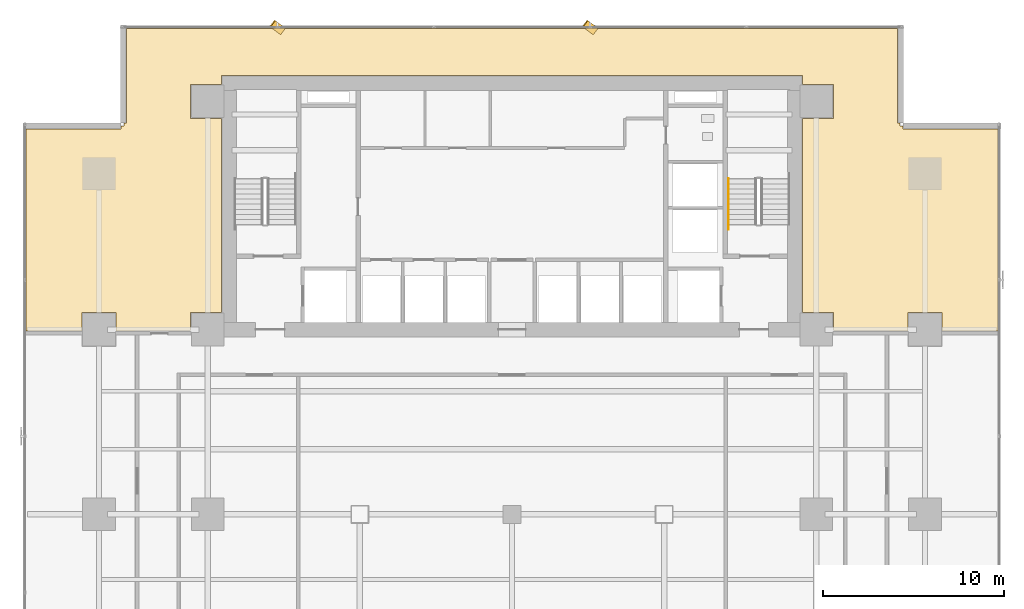
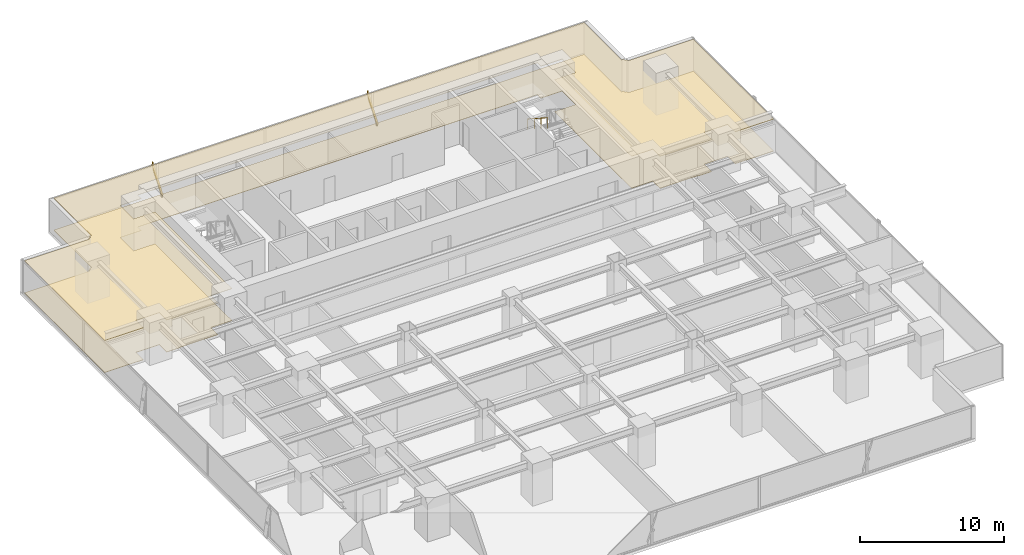
# One storey, part 31 of 33: 2 coverings, 2 shading devices, 1 railing.
"""IFC4 building model written with IfcOpenShell, lengths in metres."""

import ifcopenshell
import ifcopenshell.guid

model = None  # the IFC model being written
_history = None  # IfcOwnerHistory: only IFC2X3 demands one
_inside = {}  # id of a spatial element -> (the spatial element, [elements in it])
_under = {}  # id of a project, library or spatial element -> (it, [spatial elements below it])
_declared = {}  # id of a project -> (the project, [libraries it declares])
_typed = {}  # id of a type object -> (the type object, [elements of that type])
_made_of = {}  # id of a material, layer set ... -> (it, [elements and type objects made of it])


def new_model(schema):
    """Start an empty IFC model of exactly this schema.

    Asked for "IFC4X3", IfcOpenShell would pick the latest addendum, in which some entities
    have other attributes; the version numbers below select the first issue.
    IFC2X3 requires an IfcOwnerHistory on every rooted entity: one is made here for all.
    """
    global model, _history
    if schema == "IFC4X3":
        model = ifcopenshell.file(schema_version=(4, 3, 0, 0))
    else:
        model = ifcopenshell.file(schema=schema)
    _inside.clear()
    _under.clear()
    _declared.clear()
    _typed.clear()
    _made_of.clear()
    _history = None
    if model.schema == "IFC2X3":
        org = make("IfcOrganization", Name="unknown")
        user = make(
            "IfcPersonAndOrganization",
            ThePerson=make("IfcPerson", FamilyName="unknown"),
            TheOrganization=org,
        )
        app = make(
            "IfcApplication",
            ApplicationDeveloper=org,
            Version="unknown",
            ApplicationFullName="unknown",
            ApplicationIdentifier="unknown",
        )
        _history = make(
            "IfcOwnerHistory",
            OwningUser=user,
            OwningApplication=app,
            ChangeAction="ADDED",
            CreationDate=0,
        )
    return model


def make(cls, **values):
    """One entity of the class cls with the attributes given. An attribute that is None is left unset."""
    return model.create_entity(
        cls, **{name: value for name, value in values.items() if value is not None}
    )


def rooted(cls, **values):
    """An entity with a GlobalId (a new one), such as an element, a storey or a relation."""
    return make(cls, GlobalId=ifcopenshell.guid.new(), OwnerHistory=_history, **values)


def si_unit(unit_type, name, prefix=None):
    """IfcSIUnit, for example si_unit("LENGTHUNIT", "METRE", prefix="MILLI")."""
    return make("IfcSIUnit", UnitType=unit_type, Prefix=prefix, Name=name)


def assignment(units):
    """IfcUnitAssignment: the units of a project."""
    return None if units is None else make("IfcUnitAssignment", Units=units)


def point(xyz):
    """IfcCartesianPoint."""
    return None if xyz is None else make("IfcCartesianPoint", Coordinates=xyz)


def direction(xyz):
    """IfcDirection."""
    return None if xyz is None else make("IfcDirection", DirectionRatios=xyz)


def frame(location, z_axis=None, x_axis=None):
    """IfcAxis2Placement3D, a coordinate frame: its origin and axes. An axis left out is left unset."""
    return make(
        "IfcAxis2Placement3D",
        Location=point(location),
        Axis=direction(z_axis),
        RefDirection=direction(x_axis),
    )


def frame_2d(location, x_axis=None):
    """IfcAxis2Placement2D, a coordinate frame in the plane: its origin and x axis."""
    return make(
        "IfcAxis2Placement2D", Location=point(location), RefDirection=direction(x_axis)
    )


def origin():
    """The frame at (0, 0, 0) with its axes left unset."""
    return frame((0.0, 0.0, 0.0))


def origin_2d():
    """The frame at (0, 0) in the plane with its x axis left unset."""
    return frame_2d((0.0, 0.0))


def place(relative_to, where):
    """IfcLocalPlacement: puts the frame where relative to a parent placement (None: the world)."""
    return make(
        "IfcLocalPlacement", PlacementRelTo=relative_to, RelativePlacement=where
    )


def context(
    kind, dimensions, precision=None, world=None, true_north=None, identifier=None
):
    """IfcGeometricRepresentationContext, for example the 3D "Model" context."""
    return make(
        "IfcGeometricRepresentationContext",
        ContextIdentifier=identifier,
        ContextType=kind,
        CoordinateSpaceDimension=dimensions,
        Precision=precision,
        WorldCoordinateSystem=world,
        TrueNorth=true_north,
    )


def subcontext(parent, identifier, kind, view, scale=None):
    """IfcGeometricRepresentationSubContext, for example "Body" below "Model"."""
    return make(
        "IfcGeometricRepresentationSubContext",
        ContextIdentifier=identifier,
        ContextType=kind,
        ParentContext=parent,
        TargetScale=scale,
        TargetView=view,
    )


def project(units=None, contexts=None):
    """IfcProject with its units and contexts."""
    return rooted(
        "IfcProject",
        Name="project",
        RepresentationContexts=contexts,
        UnitsInContext=assignment(units),
    )


def spatial(cls, under=None, at=None, **own):
    """A site, building, storey or space (cls), placed at a placement, below another one or the project."""
    s = rooted(cls, ObjectPlacement=at, **own)
    if under is not None:
        _under.setdefault(under.id(), (under, []))[1].append(s)
    return s


def polyline(points):
    """IfcPolyline through the points."""
    return make("IfcPolyline", Points=[point(p) for p in points])


def profile(cls, at=None, kind="AREA", **sizes):
    """A parametric profile (cls). Its sizes go by their IFC names, for example OverallWidth=200.0."""
    return make(cls, ProfileType=kind, Position=at, **sizes)


def rectangle(**sizes):
    """IfcRectangleProfileDef."""
    return profile("IfcRectangleProfileDef", **sizes)


def outline(outer, holes=None, kind="AREA"):
    """IfcArbitraryClosedProfileDef: a profile drawn as a closed curve; with holes, ...WithVoids."""
    if holes is None:
        return make("IfcArbitraryClosedProfileDef", ProfileType=kind, OuterCurve=outer)
    return make(
        "IfcArbitraryProfileDefWithVoids",
        ProfileType=kind,
        OuterCurve=outer,
        InnerCurves=holes,
    )


def extrude(swept, where, along, depth):
    """IfcExtrudedAreaSolid: the profile swept, set in the frame where, extruded along a direction by depth."""
    return make(
        "IfcExtrudedAreaSolid",
        SweptArea=swept,
        Position=where,
        ExtrudedDirection=direction(along),
        Depth=depth,
    )


def shape(context_of_items, identifier, shape_type, items):
    """IfcShapeRepresentation: the items that make up one representation, for example the "Body"."""
    return make(
        "IfcShapeRepresentation",
        ContextOfItems=context_of_items,
        RepresentationIdentifier=identifier,
        RepresentationType=shape_type,
        Items=items,
    )


def source(mapping_origin, context_of_items, identifier, shape_type, items):
    """IfcRepresentationMap: a shape defined once, which mapped items show again and again."""
    return make(
        "IfcRepresentationMap",
        MappingOrigin=mapping_origin,
        MappedRepresentation=shape(context_of_items, identifier, shape_type, items),
    )


def transform(
    local_origin,
    x_axis=None,
    y_axis=None,
    z_axis=None,
    scale=None,
    scale2=None,
    scale3=None,
    uniform=True,
):
    """IfcCartesianTransformationOperator3D, or its non-uniform kind. x_axis, y_axis, z_axis: its Axis1, 2, 3."""
    if uniform:
        return make(
            "IfcCartesianTransformationOperator3D",
            Axis1=direction(x_axis),
            Axis2=direction(y_axis),
            LocalOrigin=point(local_origin),
            Scale=scale,
            Axis3=direction(z_axis),
        )
    return make(
        "IfcCartesianTransformationOperator3DnonUniform",
        Axis1=direction(x_axis),
        Axis2=direction(y_axis),
        LocalOrigin=point(local_origin),
        Scale=scale,
        Axis3=direction(z_axis),
        Scale2=scale2,
        Scale3=scale3,
    )


def mapped(mapping_source, mapping_target):
    """IfcMappedItem: shows the shape of a source again, moved by a transform."""
    return make(
        "IfcMappedItem", MappingSource=mapping_source, MappingTarget=mapping_target
    )


def material(Name=None, Category=None):
    """IfcMaterial."""
    return make("IfcMaterial", Name=Name, Category=Category)


def layer(
    of_material, thickness, ventilated=None, Name=None, Category=None, Priority=None
):
    """IfcMaterialLayer: one layer of a wall or slab, of a material (None: an air gap)."""
    return make(
        "IfcMaterialLayer",
        Material=of_material,
        LayerThickness=thickness,
        IsVentilated=ventilated,
        Name=Name,
        Category=Category,
        Priority=Priority,
    )


def layer_set(layers, Name=None):
    """IfcMaterialLayerSet."""
    return make("IfcMaterialLayerSet", MaterialLayers=layers, LayerSetName=Name)


def material_profile(
    of_material, cross_section, Name=None, Category=None, Priority=None
):
    """IfcMaterialProfile: a cross section and its material."""
    return make(
        "IfcMaterialProfile",
        Name=Name,
        Material=of_material,
        Profile=cross_section,
        Priority=Priority,
        Category=Category,
    )


def profile_set(profiles, Name=None, composite=None):
    """IfcMaterialProfileSet."""
    return make(
        "IfcMaterialProfileSet",
        Name=Name,
        MaterialProfiles=profiles,
        CompositeProfile=composite,
    )


def made_of(thing, what):
    """Note that an element or type object is made of a material, layer set ...; save() writes the relation."""
    if what is not None:
        _made_of.setdefault(what.id(), (what, []))[1].append(thing)
    return thing


def type_object(cls, material=None, **own):
    """A type object (cls), such as IfcWallType, which elements share."""
    return made_of(rooted(cls, **own), material)


def element(
    cls,
    number,
    at=None,
    inside=None,
    cuts=None,
    type_object=None,
    material=None,
    context=None,
    identifier="Body",
    shape_type=None,
    held_by="IfcProductDefinitionShape",
    body=None,
    shapes=None,
    **own,
):
    """One element of the class cls, such as IfcWall. Its Tag is "e" and its number.

    at: its placement. inside: the storey or other place that contains it. cuts: it is an
    opening in that element (IfcRelVoidsElement). A single representation is given by context,
    identifier, shape_type and body (its items); several are given by shapes. held_by: the class
    of the entity that holds the representations. save() writes the other relations.
    """
    e = rooted(cls, Tag="e%d" % number, ObjectPlacement=at, **own)
    if body is not None:
        shapes = [shape(context, identifier, shape_type, body)]
    if shapes is not None:
        e.Representation = make(held_by, Representations=shapes)
    if inside is not None:
        _inside.setdefault(inside.id(), (inside, []))[1].append(e)
    if cuts is not None:
        rooted(
            "IfcRelVoidsElement", RelatingBuildingElement=cuts, RelatedOpeningElement=e
        )
    if type_object is not None:
        _typed.setdefault(type_object.id(), (type_object, []))[1].append(e)
    return made_of(e, material)


def aggregate(whole, parts):
    """IfcRelAggregates: a whole, such as a stair, and the parts it consists of."""
    return rooted("IfcRelAggregates", RelatingObject=whole, RelatedObjects=parts)


def save(model, path):
    """Write the relations noted so far, then the file.

    IfcRelAggregates (storeys below a building ...), IfcRelContainedInSpatialStructure (elements
    in a storey), IfcRelDefinesByType, IfcRelAssociatesMaterial and IfcRelDeclares: one each for
    every whole, place, type object, material and project.
    """
    for whole, parts in _under.values():
        aggregate(whole, parts)
    for where, things in _inside.values():
        rooted(
            "IfcRelContainedInSpatialStructure",
            RelatedElements=things,
            RelatingStructure=where,
        )
    for kind, things in _typed.values():
        rooted("IfcRelDefinesByType", RelatedObjects=things, RelatingType=kind)
    for what, things in _made_of.values():
        rooted("IfcRelAssociatesMaterial", RelatedObjects=things, RelatingMaterial=what)
    for by, libraries in _declared.values():
        rooted("IfcRelDeclares", RelatingContext=by, RelatedDefinitions=libraries)
    model.write(path)


model = new_model("IFC4")

# Units and contexts
model_context = context("Model", 3, precision=1e-05, world=origin(), true_north=direction((0.0, 1.0)))
body_context = subcontext(model_context, "Body", "Model", "MODEL_VIEW")
ifc_project = project(units=[si_unit("LENGTHUNIT", "METRE"), si_unit("AREAUNIT", "SQUARE_METRE"), si_unit("VOLUMEUNIT", "CUBIC_METRE"), si_unit("PLANEANGLEUNIT", "RADIAN"), si_unit("MASSUNIT", "GRAM", prefix="KILO")], contexts=[model_context])

# Site, building, storey
site_placement = place(None, origin())
site = spatial("IfcSite", under=ifc_project, at=site_placement, CompositionType="ELEMENT")
building_placement = place(site_placement, origin())
building = spatial("IfcBuilding", under=site, at=building_placement, Name="Sumidabori Civic Tower", CompositionType="ELEMENT")
storey_placement = place(building_placement, frame((0.0, 0.0, 63.199951171875)))
storey = spatial("IfcBuildingStorey", under=building, at=storey_placement, Name="L16", CompositionType="ELEMENT", Elevation=63.199951171875)

# Coverings
ifc_material_1 = material(Name="Acoustic Mineral Gypsum Ceiling Tile")
ifc_layer_1 = layer(ifc_material_1, 0.034912109375, Name="Acoustic Mineral Gypsum Ceiling Tile")
ifc_layer_set_1 = layer_set([ifc_layer_1], Name="Acoustic Mineral Gypsum Ceiling Tile")
covering_type_1 = type_object("IfcCoveringType", Name="CV-CEIL-AC1", PredefinedType="CEILING", material=ifc_layer_set_1)
covering_1_placement = place(storey_placement, frame((0.0, 0.0, 2.7099609375)))
element("IfcCovering", 1, at=covering_1_placement, inside=storey, type_object=covering_type_1, Name="Room Acoustic Ceiling L16-01", PredefinedType="CEILING", context=body_context, shape_type="SweptSolid", body=[
    extrude(outline(polyline([(-21.592041015625, 21.429931640625), (-21.429931640625, 21.429931640625), (-21.429931640625, 21.592041015625), (-21.27197265625, 21.592041015625), (-21.27197265625, 26.830078125), (21.27197265625, 26.830078125), (21.27197265625, 21.592041015625), (21.429931640625, 21.592041015625), (21.429931640625, 21.429931640625), (21.592041015625, 21.429931640625), (21.592041015625, 21.27197265625), (26.830078125, 21.27197265625), (26.830078125, 10.110107421875), (23.739990234375, 10.110107421875), (23.739990234375, 11.139892578125), (21.860107421875, 11.139892578125), (21.860107421875, 10.110107421875), (20.800048828125, 10.110107421875), (20.800048828125, 10.14990234375), (17.739990234375, 10.14990234375), (17.739990234375, 11.139892578125), (16.028076171875, 11.139892578125), (16.028076171875, 21.860107421875), (17.739990234375, 21.860107421875), (17.739990234375, 23.739990234375), (16.028076171875, 23.739990234375), (16.028076171875, 24.22802734375), (-16.028076171875, 24.22802734375), (-16.028076171875, 23.739990234375), (-17.739990234375, 23.739990234375), (-17.739990234375, 21.860107421875), (-16.028076171875, 21.860107421875), (-16.028076171875, 11.139892578125), (-17.739990234375, 11.139892578125), (-17.739990234375, 10.14990234375), (-20.800048828125, 10.14990234375), (-20.800048828125, 10.110107421875), (-21.860107421875, 10.110107421875), (-21.860107421875, 11.139892578125), (-23.739990234375, 11.139892578125), (-23.739990234375, 10.110107421875), (-26.830078125, 10.110107421875), (-26.830078125, 21.27197265625), (-21.592041015625, 21.27197265625), (-21.592041015625, 21.429931640625)])), origin(), (0.0, 0.0, 1.0), 0.03515625),
])
ifc_material_2 = material(Name="Honed Terrazzo Tile Flooring")
ifc_layer_2 = layer(ifc_material_2, 0.030029296875, Name="Honed Terrazzo Tile Flooring")
ifc_layer_set_2 = layer_set([ifc_layer_2], Name="Honed Terrazzo Tile Flooring")
covering_type_2 = type_object("IfcCoveringType", Name="CV-FLR-TER", PredefinedType="FLOORING", material=ifc_layer_set_2)
covering_2_placement = place(storey_placement, origin())
element("IfcCovering", 2, at=covering_2_placement, inside=storey, type_object=covering_type_2, Name="Room Terrazzo Floor L16-01", PredefinedType="FLOORING", context=body_context, shape_type="SweptSolid", body=[
    extrude(outline(polyline([(-21.592041015625, 21.429931640625), (-21.429931640625, 21.429931640625), (-21.429931640625, 21.592041015625), (-21.27197265625, 21.592041015625), (-21.27197265625, 26.830078125), (21.27197265625, 26.830078125), (21.27197265625, 21.592041015625), (21.429931640625, 21.592041015625), (21.429931640625, 21.429931640625), (21.592041015625, 21.429931640625), (21.592041015625, 21.27197265625), (26.830078125, 21.27197265625), (26.830078125, 10.110107421875), (23.739990234375, 10.110107421875), (23.739990234375, 11.139892578125), (21.860107421875, 11.139892578125), (21.860107421875, 10.110107421875), (20.800048828125, 10.110107421875), (20.800048828125, 10.14990234375), (17.739990234375, 10.14990234375), (17.739990234375, 11.139892578125), (16.028076171875, 11.139892578125), (16.028076171875, 21.860107421875), (17.739990234375, 21.860107421875), (17.739990234375, 23.739990234375), (16.028076171875, 23.739990234375), (16.028076171875, 24.22802734375), (-16.028076171875, 24.22802734375), (-16.028076171875, 23.739990234375), (-17.739990234375, 23.739990234375), (-17.739990234375, 21.860107421875), (-16.028076171875, 21.860107421875), (-16.028076171875, 11.139892578125), (-17.739990234375, 11.139892578125), (-17.739990234375, 10.14990234375), (-20.800048828125, 10.14990234375), (-20.800048828125, 10.110107421875), (-21.860107421875, 10.110107421875), (-21.860107421875, 11.139892578125), (-23.739990234375, 11.139892578125), (-23.739990234375, 10.110107421875), (-26.830078125, 10.110107421875), (-26.830078125, 21.27197265625), (-21.592041015625, 21.27197265625), (-21.592041015625, 21.429931640625)])), origin(), (0.0, 0.0, 1.0), 0.030029296875),
])

# Railing
ifc_material_3 = material(Name="Stainless Steel Hairline Finish", Category="steel")
railing_type = type_object("IfcRailingType", Name="RL-HANDRAIL", PredefinedType="HANDRAIL", material=ifc_material_3)
railing_placement = place(storey_placement, frame((11.949951171875, 18.52001953125, 1.97998046875)))
element("IfcRailing", 3, at=railing_placement, inside=storey, type_object=railing_type, Name="L16 ST-2 stair handrail 2", PredefinedType="HANDRAIL", context=body_context, shape_type="SweptSolid", body=[
    extrude(rectangle(XDim=0.048095703125, YDim=0.048095703125, at=origin_2d()), frame((0.0, 0.0, 0.8759765625), z_axis=(0.0, -0.84064222762, 0.54159084662), x_axis=(1.0, 0.0, 0.0)), (0.0, 0.0, 1.0), 3.330810546875),
    extrude(rectangle(XDim=0.0419921875, YDim=0.0419921875, at=origin_2d()), origin(), (0.0, 0.0, 1.0), 0.851806640625),
    extrude(rectangle(XDim=0.0419921875, YDim=0.0419921875, at=origin_2d()), frame((0.0, -0.933349609375, 0.601318359375)), (0.0, 0.0, 1.0), 0.851806640625),
    extrude(rectangle(XDim=0.0419921875, YDim=0.0419921875, at=origin_2d()), frame((0.0, -1.86669921875, 1.20263671875)), (0.0, 0.0, 1.0), 0.851806640625),
    extrude(rectangle(XDim=0.0419921875, YDim=0.0419921875, at=origin_2d()), frame((0.0, -2.800048828125, 1.803955078125)), (0.0, 0.0, 1.0), 0.851806640625),
])

# Shading devices
ifc_material_4 = material(Name="Anodised Bronze Aluminium AW-6063-T6", Category="aluminium")
ifc_material_profile = material_profile(ifc_material_4, rectangle(XDim=0.06005859375, YDim=0.449951171875, at=origin_2d()), Name="BRONZE FIN 450x60")
ifc_profile_set = profile_set([ifc_material_profile], Name="Anodised Bronze Aluminium AW-6063-T6")
shading_device_type = type_object("IfcShadingDeviceType", Name="SH-FIN-450", PredefinedType="USERDEFINED", material=ifc_profile_set)
shared_shape = source(origin(), body_context, "Body", "SweptSolid", [
    extrude(rectangle(XDim=0.06005859375, YDim=0.449951171875, at=origin_2d()), origin(), (0.0, 0.0, 1.0), 2.769775390625),
])
for number, where, z_axis, x_axis, name in (
    (4, (4.593994140625, 26.669921875, 0.02001953125), (-0.202195931323, 0.151691019096, 0.967526041035), (0.773939855131, -0.580623579198, 0.252771358975), "Bronze Anodised Diagonal Fin L16-02"),
    (5, (-12.662109375, 26.669921875, 0.02001953125), (-0.20211139135, 0.151693721986, 0.967543280787), (0.773832092044, -0.580795913828, 0.252705361643), "Bronze Anodised Diagonal Fin L16-04"),
):
    element("IfcShadingDevice", number, at=place(storey_placement, frame(where, z_axis=z_axis, x_axis=x_axis)), inside=storey, type_object=shading_device_type, Name=name, ObjectType="FIN", PredefinedType="USERDEFINED", context=body_context, shape_type="MappedRepresentation", body=[
        mapped(shared_shape, transform((0.0, 0.0, 0.0), x_axis=(1.0, 0.0, 0.0), y_axis=(0.0, 1.0, 0.0), z_axis=(0.0, 0.0, 1.0), scale=1.0)),
    ])

save(model, "model.ifc")
